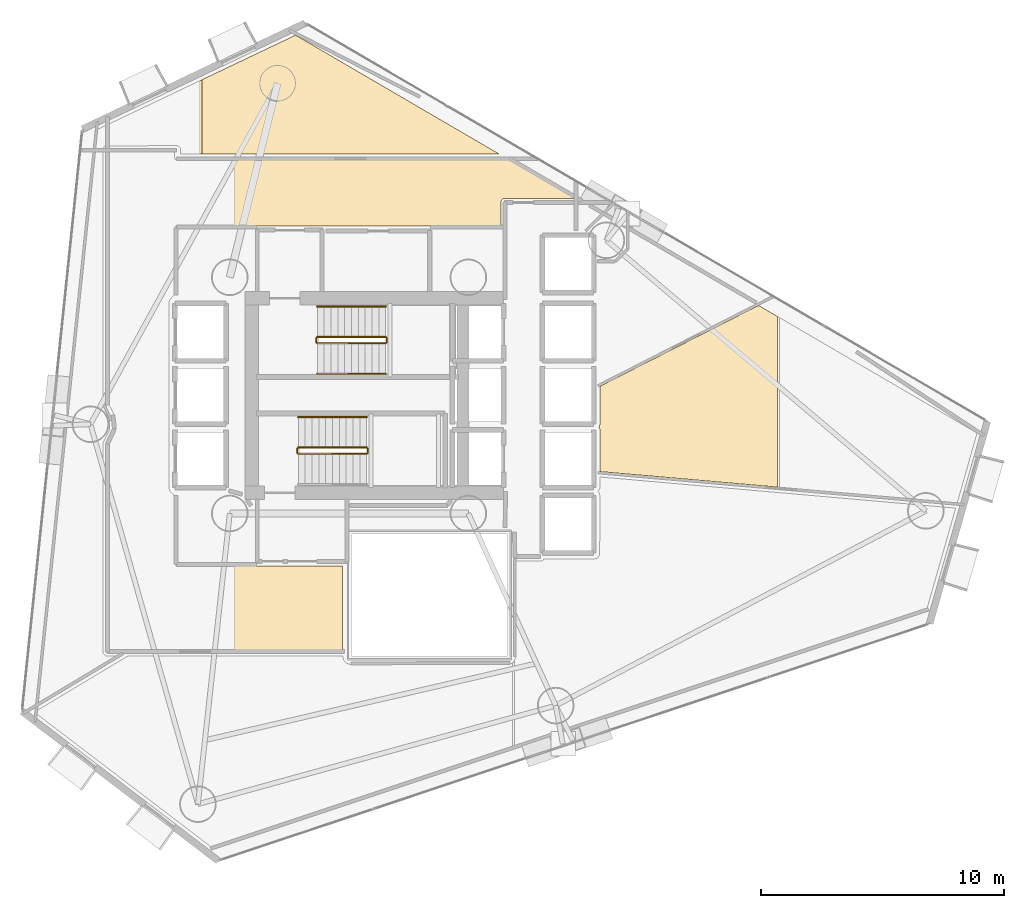
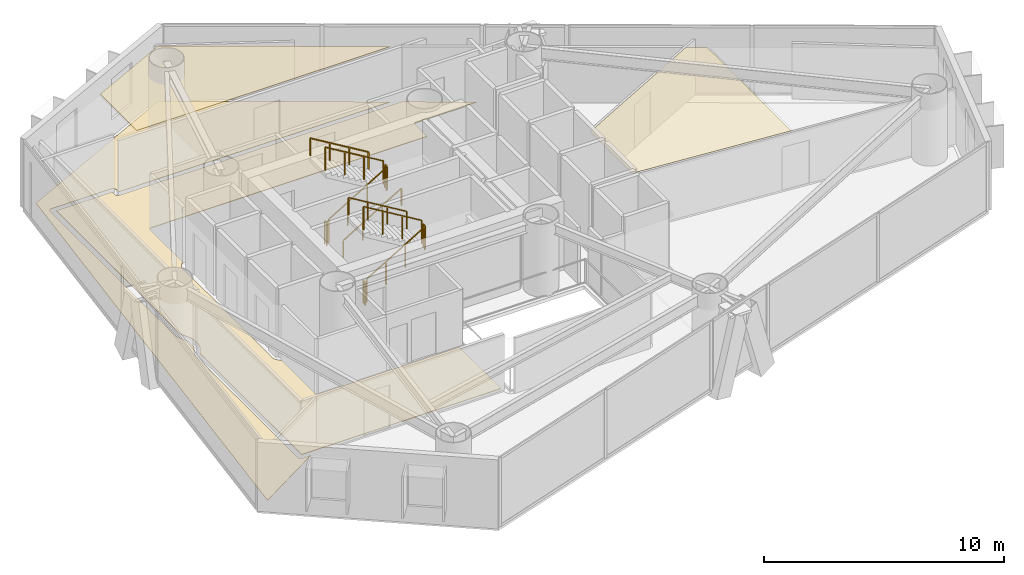
# One storey, part 18 of 19: 11 railings, 4 coverings.
"""IFC4 building model written with IfcOpenShell, lengths in metres."""

from ifc_helpers import new_model, si_unit, direction, frame, origin, origin_2d, place, context, subcontext, project, spatial, polyline, rectangle, outline, extrude, material, layer, layer_set, type_object, element, save


model = new_model("IFC4")

# Units and contexts
model_context = context("Model", 3, precision=1e-05, world=origin(), true_north=direction((0.0, 1.0)))
body_context = subcontext(model_context, "Body", "Model", "MODEL_VIEW")
ifc_project = project(units=[si_unit("LENGTHUNIT", "METRE"), si_unit("AREAUNIT", "SQUARE_METRE"), si_unit("VOLUMEUNIT", "CUBIC_METRE"), si_unit("PLANEANGLEUNIT", "RADIAN"), si_unit("MASSUNIT", "GRAM", prefix="KILO")], contexts=[model_context])

# Site, building, storey
site_placement = place(None, origin())
site = spatial("IfcSite", under=ifc_project, at=site_placement, CompositionType="ELEMENT")
building_placement = place(site_placement, origin())
building = spatial("IfcBuilding", under=site, at=building_placement, Name="Qianvela Tower", CompositionType="ELEMENT")
storey_placement = place(building_placement, frame((0.0, 0.0, 120.0)))
storey = spatial("IfcBuildingStorey", under=building, at=storey_placement, Name="L30", CompositionType="ELEMENT", Elevation=120.0)

# Coverings
ifc_material_1 = material(Name="Perforated Mineral Acoustic Ceiling Tile")
ifc_layer_1 = layer(ifc_material_1, 0.02490234375)
ifc_layer_set_1 = layer_set([ifc_layer_1], Name="Perforated Mineral Acoustic Ceiling Tile")
covering_type_1 = type_object("IfcCoveringType", Name="COV-CEIL-ACOUSTIC-25", PredefinedType="CEILING", material=ifc_layer_set_1)
covering_1_placement = place(storey_placement, frame((0.0, 0.0, 2.81494140625)))
element("IfcCovering", 1, at=covering_1_placement, inside=storey, type_object=covering_type_1, Name="L30 Acoustic Ceiling Bay 1 Campus Convenience Shop L30-01", PredefinedType="CEILING", context=body_context, shape_type="SweptSolid", body=[
    extrude(outline(polyline([(43.793701171875, 27.468994140625), (43.79638671875, 27.476318359375), (43.79833984375, 27.484130859375), (43.799560546875, 27.491943359375), (43.800048828125, 27.5), (43.800048828125, 29.072998046875), (50.3203125, 32.3955078125), (51.095703125, 31.94287109375), (51.095703125, 24.93310546875), (43.800048828125, 25.5712890625), (43.800048828125, 27.300048828125), (43.799560546875, 27.30810546875), (43.79833984375, 27.31591796875), (43.79638671875, 27.323486328125), (43.793701171875, 27.3310546875), (43.7646484375, 27.39990234375), (43.793701171875, 27.468994140625)])), origin(), (0.0, 0.0, 1.0), 0.025146484375),
])
covering_2_placement = place(storey_placement, frame((0.0, 0.0, 2.81494140625)))
element("IfcCovering", 2, at=covering_2_placement, inside=storey, type_object=covering_type_1, Name="L30 Acoustic Ceiling Bay 2 Stationery Supply Boutique L30-03", PredefinedType="CEILING", context=body_context, shape_type="SweptSolid", body=[
    extrude(outline(polyline([(31.30078125, 43.49755859375), (39.673828125, 38.610107421875), (27.453369140625, 38.610107421875), (27.453369140625, 41.6650390625), (31.30078125, 43.49755859375)])), origin(), (0.0, 0.0, 1.0), 0.025146484375),
])
ifc_material_2 = material(Name="Engineered Acoustic Oak Timber Flooring", Category="wood")
ifc_layer_2 = layer(ifc_material_2, 0.02001953125)
ifc_layer_set_2 = layer_set([ifc_layer_2], Name="Engineered Acoustic Oak Timber Flooring")
covering_type_2 = type_object("IfcCoveringType", Name="COV-FLOOR-OAK-20", PredefinedType="FLOORING", material=ifc_layer_set_2)
covering_3_placement = place(storey_placement, origin())
element("IfcCovering", 3, at=covering_3_placement, inside=storey, type_object=covering_type_2, Name="L30 Finish Flooring Stationery Supply Boutique L30-03", PredefinedType="FLOORING", context=body_context, shape_type="SweptSolid", body=[
    extrude(outline(polyline([(23.398681640625, 26.76171875), (23.3955078125, 26.7548828125), (23.393310546875, 26.747802734375), (23.391357421875, 26.740478515625), (23.390380859375, 26.73291015625), (23.389892578125, 26.725341796875), (23.390380859375, 18.14208984375), (23.390869140625, 18.13427734375), (23.391845703125, 18.12646484375), (23.393798828125, 18.118896484375), (23.396484375, 18.111572265625), (23.39990234375, 18.1044921875), (23.40380859375, 18.09765625), (23.408447265625, 18.09130859375), (23.413818359375, 18.085693359375), (23.485595703125, 18.013916015625), (23.491455078125, 18.008544921875), (23.497802734375, 18.00390625), (23.50439453125, 17.999755859375), (23.511474609375, 17.99658203125), (23.518798828125, 17.993896484375), (23.526611328125, 17.991943359375), (23.5341796875, 17.99072265625), (23.5419921875, 17.990478515625), (23.9326171875, 17.990234375), (20.73291015625, 16.067626953125), (23.176025390625, 39.6279296875), (31.30078125, 43.49755859375), (39.673828125, 38.610107421875), (26.57958984375, 38.610107421875), (26.57861328125, 38.81591796875), (26.577880859375, 38.82421875), (26.57666015625, 38.83251953125), (26.574462890625, 38.840576171875), (26.571533203125, 38.84814453125), (26.567626953125, 38.855712890625), (26.563232421875, 38.862548828125), (26.55810546875, 38.868896484375), (26.55224609375, 38.875), (26.481689453125, 38.93896484375), (26.475830078125, 38.943603515625), (26.4697265625, 38.94775390625), (26.46337890625, 38.951416015625), (26.45654296875, 38.954345703125), (26.449462890625, 38.95654296875), (26.442138671875, 38.958251953125), (26.434814453125, 38.959228515625), (26.427490234375, 38.959716796875), (23.505126953125, 38.946533203125), (23.497314453125, 38.946044921875), (23.48974609375, 38.94482421875), (23.482177734375, 38.943115234375), (23.474609375, 38.940185546875), (23.4677734375, 38.93701171875), (23.4609375, 38.932861328125), (23.45458984375, 38.92822265625), (23.448974609375, 38.923095703125), (23.443603515625, 38.917236328125), (23.43896484375, 38.910888671875), (23.43505859375, 38.904296875), (23.3994140625, 38.837646484375), (23.39599609375, 38.83056640625), (23.393310546875, 38.8232421875), (23.3916015625, 38.815673828125), (23.390380859375, 38.807861328125), (23.389892578125, 38.800048828125), (23.389892578125, 28.306640625), (23.390380859375, 28.299072265625), (23.391357421875, 28.29150390625), (23.393310546875, 28.2841796875), (23.3955078125, 28.277099609375), (23.398681640625, 28.270263671875), (23.62548828125, 27.826416015625), (23.66943359375, 27.681396484375), (23.66943359375, 27.3505859375), (23.62548828125, 27.20556640625), (23.398681640625, 26.76171875)])), origin(), (0.0, 0.0, 1.0), 0.02001953125),
])
ifc_material_3 = material(Name="Honed Stone Terrazzo Flooring", Category="masonry")
ifc_layer_3 = layer(ifc_material_3, 0.030029296875)
ifc_layer_set_3 = layer_set([ifc_layer_3], Name="Honed Stone Terrazzo Flooring")
covering_type_3 = type_object("IfcCoveringType", Name="COV-FLOOR-TERRAZZO-30", PredefinedType="FLOORING", material=ifc_layer_set_3)
covering_4_placement = place(storey_placement, origin())
element("IfcCovering", 4, at=covering_4_placement, inside=storey, type_object=covering_type_3, Name="L30 Finish Flooring L30 Floor Corridor", PredefinedType="FLOORING", context=body_context, shape_type="SweptSolid", body=[
    extrude(outline(polyline([(23.8505859375, 27.910400390625), (23.84814453125, 27.917724609375), (23.8447265625, 27.9248046875), (23.6298828125, 28.32666015625), (23.6298828125, 38.719970703125), (26.340087890625, 38.719970703125), (26.340087890625, 38.449951171875), (26.34033203125, 38.442138671875), (26.341552734375, 38.434326171875), (26.343505859375, 38.4267578125), (26.34619140625, 38.41943359375), (26.349365234375, 38.412353515625), (26.353515625, 38.405517578125), (26.358154296875, 38.399169921875), (26.36328125, 38.393310546875), (26.369140625, 38.38818359375), (26.37548828125, 38.383544921875), (26.38232421875, 38.37939453125), (26.389404296875, 38.376220703125), (26.396728515625, 38.373291015625), (26.404296875, 38.37158203125), (26.412109375, 38.370361328125), (26.419921875, 38.3701171875), (40.0849609375, 38.3701171875), (42.788818359375, 36.791748046875), (39.86181640625, 36.789306640625), (39.853759765625, 36.788818359375), (39.845458984375, 36.78759765625), (39.83740234375, 36.785400390625), (39.82958984375, 36.782470703125), (39.822509765625, 36.77880859375), (39.8154296875, 36.7744140625), (39.808837890625, 36.769287109375), (39.802978515625, 36.763427734375), (39.797607421875, 36.757080078125), (39.753662109375, 36.69775390625), (39.749755859375, 36.691650390625), (39.74609375, 36.685302734375), (39.743408203125, 36.678466796875), (39.740966796875, 36.671630859375), (39.7392578125, 36.66455078125), (39.73828125, 36.6572265625), (39.738037109375, 36.64990234375), (39.738037109375, 35.659912109375), (26.419921875, 35.659912109375), (26.412109375, 35.65966796875), (26.404296875, 35.658447265625), (26.396728515625, 35.656494140625), (26.389404296875, 35.65380859375), (26.38232421875, 35.650634765625), (26.37548828125, 35.646484375), (26.369140625, 35.641845703125), (26.36328125, 35.63671875), (26.358154296875, 35.630859375), (26.353515625, 35.62451171875), (26.349365234375, 35.61767578125), (26.34619140625, 35.610595703125), (26.343505859375, 35.603271484375), (26.341552734375, 35.595703125), (26.34033203125, 35.587890625), (26.340087890625, 35.580078125), (26.340087890625, 32.849365234375), (26.152587890625, 32.642578125), (26.1474609375, 32.636474609375), (26.143310546875, 32.6298828125), (26.139404296875, 32.623046875), (26.136474609375, 32.61572265625), (26.104736328125, 32.527099609375), (26.10205078125, 32.518310546875), (26.1005859375, 32.509033203125), (26.10009765625, 32.5), (26.10009765625, 24.89990234375), (26.100341796875, 24.89306640625), (26.101318359375, 24.88623046875), (26.1025390625, 24.879638671875), (26.104736328125, 24.873046875), (26.136474609375, 24.7841796875), (26.139404296875, 24.777099609375), (26.143310546875, 24.77001953125), (26.1474609375, 24.763427734375), (26.152587890625, 24.757568359375), (26.340087890625, 24.550537109375), (26.340087890625, 21.780029296875), (26.34033203125, 21.772216796875), (26.341552734375, 21.764404296875), (26.343505859375, 21.7568359375), (26.34619140625, 21.74951171875), (26.349365234375, 21.7421875), (26.353515625, 21.735595703125), (26.358154296875, 21.729248046875), (26.36328125, 21.723388671875), (26.369140625, 21.71826171875), (26.37548828125, 21.71337890625), (26.38232421875, 21.70947265625), (26.389404296875, 21.7060546875), (26.396728515625, 21.703369140625), (26.404296875, 21.701416015625), (26.412109375, 21.700439453125), (26.419921875, 21.699951171875), (33.239990234375, 21.699951171875), (33.239990234375, 18.22998046875), (23.6298828125, 18.22998046875), (23.6298828125, 26.705322265625), (23.8447265625, 27.107177734375), (23.84814453125, 27.1142578125), (23.8505859375, 27.12158203125), (23.906005859375, 27.303466796875), (23.90771484375, 27.311279296875), (23.908935546875, 27.31884765625), (23.909423828125, 27.326904296875), (23.909423828125, 27.705078125), (23.908935546875, 27.713134765625), (23.90771484375, 27.720703125), (23.906005859375, 27.728515625), (23.8505859375, 27.910400390625)])), origin(), (0.0, 0.0, 1.0), 0.030029296875),
])

# Railings
ifc_material_4 = material(Name="Painted Tubular Steel Q355B", Category="steel")
railing_type_1 = type_object("IfcRailingType", Name="RL-STAIR-GUARD-1200", PredefinedType="GUARDRAIL", material=ifc_material_4)
railing_1_placement = place(storey_placement, frame((32.199951171875, 30.840087890625, 0.168212890625)))
element("IfcRailing", 5, at=railing_1_placement, inside=storey, type_object=railing_type_1, Name="L30 ST-1 stair guard 1", PredefinedType="GUARDRAIL", context=body_context, shape_type="SweptSolid", body=[
    extrude(rectangle(XDim=0.050048828125, YDim=0.0400390625, at=origin_2d()), frame((0.0, 0.0, 1.179931640625), z_axis=(0.857242210791, 0.0, 0.514913383045), x_axis=(0.0, 1.0, 0.0)), (0.0, 0.0, 1.0), 3.266357421875),
    extrude(rectangle(XDim=0.050048828125, YDim=0.050048828125, at=origin_2d()), origin(), (0.0, 0.0, 1.0), 1.159912109375),
    extrude(rectangle(XDim=0.050048828125, YDim=0.050048828125, at=origin_2d()), frame((0.933349609375, 0.0, 0.560546875)), (0.0, 0.0, 1.0), 1.159912109375),
    extrude(rectangle(XDim=0.050048828125, YDim=0.050048828125, at=origin_2d()), frame((1.86669921875, 0.0, 1.121337890625)), (0.0, 0.0, 1.0), 1.159912109375),
    extrude(rectangle(XDim=0.050048828125, YDim=0.050048828125, at=origin_2d()), frame((2.800048828125, 0.0, 1.681884765625)), (0.0, 0.0, 1.0), 1.159912109375),
])
railing_2_placement = place(storey_placement, frame((35.050048828125, 30.889892578125, 1.85009765625)))
element("IfcRailing", 6, at=railing_2_placement, inside=storey, type_object=railing_type_1, Name="L30 ST-1 stair guard 2", PredefinedType="GUARDRAIL", context=body_context, shape_type="SweptSolid", body=[
    extrude(rectangle(XDim=0.050048828125, YDim=0.0400390625, at=origin_2d()), frame((0.0, 0.0, 1.179931640625), z_axis=(0.0, 1.0, 0.0), x_axis=(-1.0, 0.0, 0.0)), (0.0, 0.0, 1.0), 0.16015625),
    extrude(rectangle(XDim=0.050048828125, YDim=0.050048828125, at=origin_2d()), origin(), (0.0, 0.0, 1.0), 1.159912109375),
    extrude(rectangle(XDim=0.050048828125, YDim=0.050048828125, at=origin_2d()), frame((0.0, 0.16015625, 0.0)), (0.0, 0.0, 1.0), 1.159912109375),
])
railing_3_placement = place(storey_placement, frame((35.0, 31.10009765625, 2.01806640625)))
element("IfcRailing", 7, at=railing_3_placement, inside=storey, type_object=railing_type_1, Name="L30 ST-1 stair guard 3", PredefinedType="GUARDRAIL", context=body_context, shape_type="SweptSolid", body=[
    extrude(rectangle(XDim=0.050048828125, YDim=0.0400390625, at=origin_2d()), frame((0.0, 0.0, 1.179931640625), z_axis=(-0.857242210791, 0.0, 0.514913383045), x_axis=(0.0, -1.0, 0.0)), (0.0, 0.0, 1.0), 3.266357421875),
    extrude(rectangle(XDim=0.050048828125, YDim=0.050048828125, at=origin_2d()), origin(), (0.0, 0.0, 1.0), 1.159912109375),
    extrude(rectangle(XDim=0.050048828125, YDim=0.050048828125, at=origin_2d()), frame((-0.933349609375, 0.0, 0.560546875)), (0.0, 0.0, 1.0), 1.159912109375),
    extrude(rectangle(XDim=0.050048828125, YDim=0.050048828125, at=origin_2d()), frame((-1.86669921875, 0.0, 1.121337890625)), (0.0, 0.0, 1.0), 1.159912109375),
    extrude(rectangle(XDim=0.050048828125, YDim=0.050048828125, at=origin_2d()), frame((-2.800048828125, 0.0, 1.681884765625)), (0.0, 0.0, 1.0), 1.159912109375),
])
railing_4_placement = place(storey_placement, frame((32.14990234375, 30.889892578125, 0.0)))
element("IfcRailing", 8, at=railing_4_placement, inside=storey, type_object=railing_type_1, Name="L30 ST-1 stair guard 4", PredefinedType="GUARDRAIL", context=body_context, shape_type="SweptSolid", body=[
    extrude(rectangle(XDim=0.050048828125, YDim=0.0400390625, at=origin_2d()), frame((0.0, 0.0, 1.179931640625), z_axis=(0.0, 1.0, 0.0), x_axis=(-1.0, 0.0, 0.0)), (0.0, 0.0, 1.0), 0.16015625),
    extrude(rectangle(XDim=0.050048828125, YDim=0.050048828125, at=origin_2d()), origin(), (0.0, 0.0, 1.0), 1.159912109375),
    extrude(rectangle(XDim=0.050048828125, YDim=0.050048828125, at=origin_2d()), frame((0.0, 0.16015625, 0.0)), (0.0, 0.0, 1.0), 1.159912109375),
])
railing_5_placement = place(storey_placement, frame((31.419921875, 26.300048828125, 0.168212890625)))
element("IfcRailing", 9, at=railing_5_placement, inside=storey, type_object=railing_type_1, Name="L30 ST-2 stair guard 1", PredefinedType="GUARDRAIL", context=body_context, shape_type="SweptSolid", body=[
    extrude(rectangle(XDim=0.050048828125, YDim=0.0400390625, at=origin_2d()), frame((0.0, 0.0, 1.179931640625), z_axis=(0.857242210791, 0.0, 0.514913383045), x_axis=(0.0, 1.0, 0.0)), (0.0, 0.0, 1.0), 3.266357421875),
    extrude(rectangle(XDim=0.050048828125, YDim=0.050048828125, at=origin_2d()), origin(), (0.0, 0.0, 1.0), 1.159912109375),
    extrude(rectangle(XDim=0.050048828125, YDim=0.050048828125, at=origin_2d()), frame((0.933349609375, 0.0, 0.560546875)), (0.0, 0.0, 1.0), 1.159912109375),
    extrude(rectangle(XDim=0.050048828125, YDim=0.050048828125, at=origin_2d()), frame((1.86669921875, 0.0, 1.121337890625)), (0.0, 0.0, 1.0), 1.159912109375),
    extrude(rectangle(XDim=0.050048828125, YDim=0.050048828125, at=origin_2d()), frame((2.800048828125, 0.0, 1.681884765625)), (0.0, 0.0, 1.0), 1.159912109375),
])
railing_6_placement = place(storey_placement, frame((34.27001953125, 26.35009765625, 1.85009765625)))
element("IfcRailing", 10, at=railing_6_placement, inside=storey, type_object=railing_type_1, Name="L30 ST-2 stair guard 2", PredefinedType="GUARDRAIL", context=body_context, shape_type="SweptSolid", body=[
    extrude(rectangle(XDim=0.050048828125, YDim=0.0400390625, at=origin_2d()), frame((0.0, 0.0, 1.179931640625), z_axis=(0.0, 1.0, 0.0), x_axis=(-1.0, 0.0, 0.0)), (0.0, 0.0, 1.0), 0.159912109375),
    extrude(rectangle(XDim=0.050048828125, YDim=0.050048828125, at=origin_2d()), origin(), (0.0, 0.0, 1.0), 1.159912109375),
    extrude(rectangle(XDim=0.050048828125, YDim=0.050048828125, at=origin_2d()), frame((0.0, 0.159912109375, 0.0)), (0.0, 0.0, 1.0), 1.159912109375),
])
railing_7_placement = place(storey_placement, frame((34.219970703125, 26.56005859375, 2.01806640625)))
element("IfcRailing", 11, at=railing_7_placement, inside=storey, type_object=railing_type_1, Name="L30 ST-2 stair guard 3", PredefinedType="GUARDRAIL", context=body_context, shape_type="SweptSolid", body=[
    extrude(rectangle(XDim=0.050048828125, YDim=0.0400390625, at=origin_2d()), frame((0.0, 0.0, 1.179931640625), z_axis=(-0.857242210791, 0.0, 0.514913383045), x_axis=(0.0, -1.0, 0.0)), (0.0, 0.0, 1.0), 3.266357421875),
    extrude(rectangle(XDim=0.050048828125, YDim=0.050048828125, at=origin_2d()), origin(), (0.0, 0.0, 1.0), 1.159912109375),
    extrude(rectangle(XDim=0.050048828125, YDim=0.050048828125, at=origin_2d()), frame((-0.933349609375, 0.0, 0.560546875)), (0.0, 0.0, 1.0), 1.159912109375),
    extrude(rectangle(XDim=0.050048828125, YDim=0.050048828125, at=origin_2d()), frame((-1.86669921875, 0.0, 1.121337890625)), (0.0, 0.0, 1.0), 1.159912109375),
    extrude(rectangle(XDim=0.050048828125, YDim=0.050048828125, at=origin_2d()), frame((-2.800048828125, 0.0, 1.681884765625)), (0.0, 0.0, 1.0), 1.159912109375),
])
railing_8_placement = place(storey_placement, frame((31.3701171875, 26.35009765625, 0.0)))
element("IfcRailing", 12, at=railing_8_placement, inside=storey, type_object=railing_type_1, Name="L30 ST-2 stair guard 4", PredefinedType="GUARDRAIL", context=body_context, shape_type="SweptSolid", body=[
    extrude(rectangle(XDim=0.050048828125, YDim=0.0400390625, at=origin_2d()), frame((0.0, 0.0, 1.179931640625), z_axis=(0.0, 1.0, 0.0), x_axis=(-1.0, 0.0, 0.0)), (0.0, 0.0, 1.0), 0.159912109375),
    extrude(rectangle(XDim=0.050048828125, YDim=0.050048828125, at=origin_2d()), origin(), (0.0, 0.0, 1.0), 1.159912109375),
    extrude(rectangle(XDim=0.050048828125, YDim=0.050048828125, at=origin_2d()), frame((0.0, 0.159912109375, 0.0)), (0.0, 0.0, 1.0), 1.159912109375),
])
ifc_material_5 = material(Name="Brushed Stainless Steel 304", Category="steel")
railing_type_2 = type_object("IfcRailingType", Name="RL-STAIR-HANDRAIL-900", PredefinedType="HANDRAIL", material=ifc_material_5)
railing_9_placement = place(storey_placement, frame((32.199951171875, 29.590087890625, 0.168212890625)))
element("IfcRailing", 13, at=railing_9_placement, inside=storey, type_object=railing_type_2, Name="L30 ST-1 stair handrail 1", PredefinedType="HANDRAIL", context=body_context, shape_type="SweptSolid", body=[
    extrude(rectangle(XDim=0.050048828125, YDim=0.0400390625, at=origin_2d()), frame((0.0, 0.0, 0.8798828125), z_axis=(0.857242210791, 0.0, 0.514913383045), x_axis=(0.0, 1.0, 0.0)), (0.0, 0.0, 1.0), 3.266357421875),
    extrude(rectangle(XDim=0.050048828125, YDim=0.050048828125, at=origin_2d()), origin(), (0.0, 0.0, 1.0), 0.85986328125),
    extrude(rectangle(XDim=0.050048828125, YDim=0.050048828125, at=origin_2d()), frame((0.933349609375, 0.0, 0.560546875)), (0.0, 0.0, 1.0), 0.85986328125),
    extrude(rectangle(XDim=0.050048828125, YDim=0.050048828125, at=origin_2d()), frame((1.86669921875, 0.0, 1.121337890625)), (0.0, 0.0, 1.0), 0.85986328125),
    extrude(rectangle(XDim=0.050048828125, YDim=0.050048828125, at=origin_2d()), frame((2.800048828125, 0.0, 1.681884765625)), (0.0, 0.0, 1.0), 0.85986328125),
])
for number, where, name in (
    (14, (35.0, 32.35009765625, 2.01806640625), "L30 ST-1 stair handrail 2"),
    (15, (34.219970703125, 27.81005859375, 2.01806640625), "L30 ST-2 stair handrail 2"),
):
    element("IfcRailing", number, at=place(storey_placement, frame(where)), inside=storey, type_object=railing_type_2, Name=name, PredefinedType="HANDRAIL", context=body_context, shape_type="SweptSolid", body=[
        extrude(rectangle(XDim=0.050048828125, YDim=0.0400390625, at=origin_2d()), frame((0.0, 0.0, 0.8798828125), z_axis=(-0.857242210791, 0.0, 0.514913383045), x_axis=(0.0, -1.0, 0.0)), (0.0, 0.0, 1.0), 3.266357421875),
        extrude(rectangle(XDim=0.050048828125, YDim=0.050048828125, at=origin_2d()), origin(), (0.0, 0.0, 1.0), 0.85986328125),
        extrude(rectangle(XDim=0.050048828125, YDim=0.050048828125, at=origin_2d()), frame((-0.933349609375, 0.0, 0.560546875)), (0.0, 0.0, 1.0), 0.85986328125),
        extrude(rectangle(XDim=0.050048828125, YDim=0.050048828125, at=origin_2d()), frame((-1.86669921875, 0.0, 1.121337890625)), (0.0, 0.0, 1.0), 0.85986328125),
        extrude(rectangle(XDim=0.050048828125, YDim=0.050048828125, at=origin_2d()), frame((-2.800048828125, 0.0, 1.681884765625)), (0.0, 0.0, 1.0), 0.85986328125),
    ])

save(model, "model.ifc")
